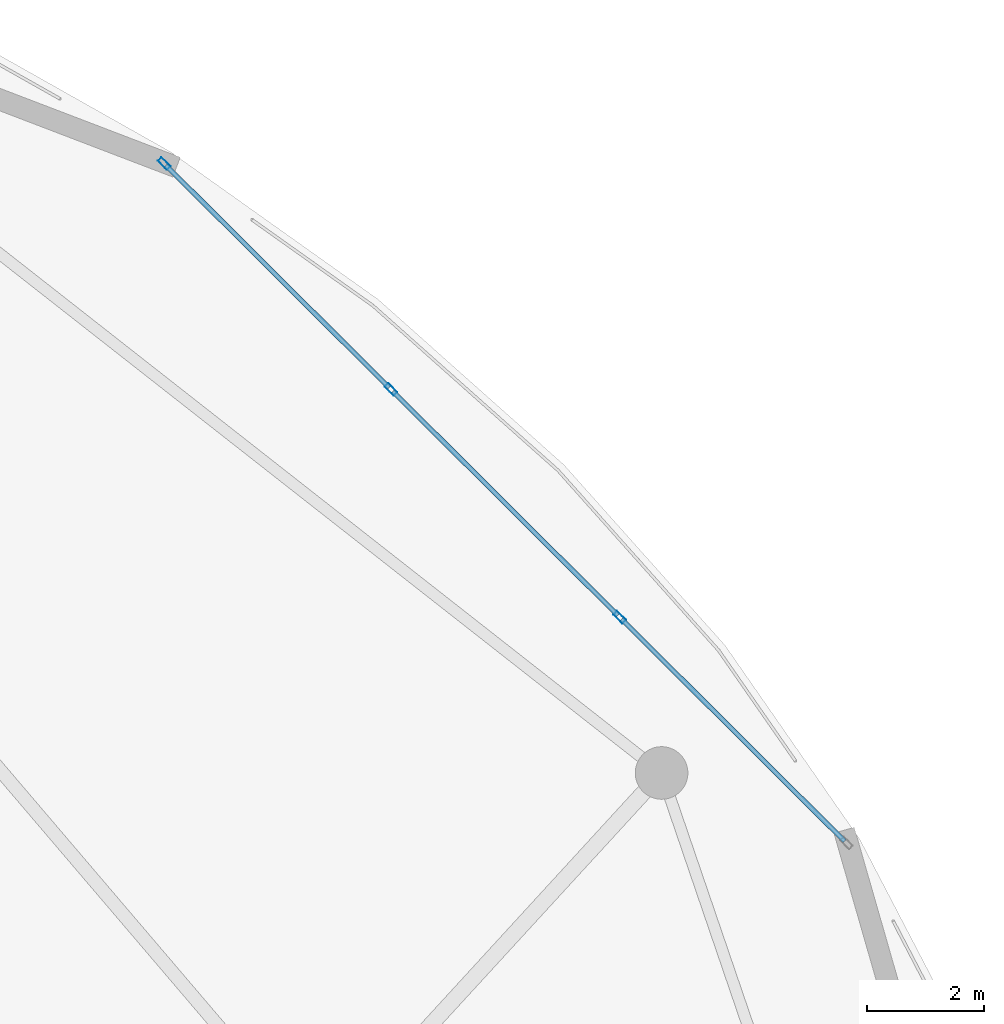
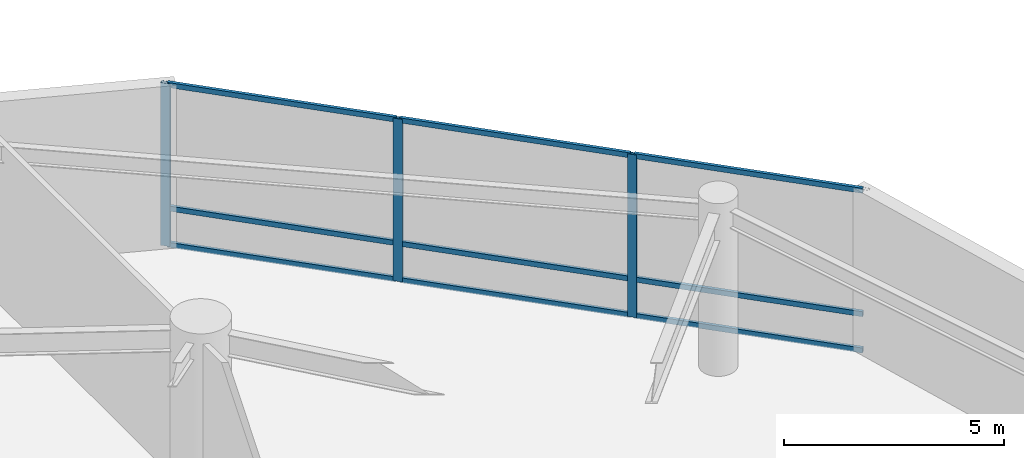
# One storey, part 20 of 40: 12 members, 1 element without a shape of its own.
"""IFC4 building model written with IfcOpenShell, lengths in metres."""

from ifc_helpers import new_model, si_unit, direction, frame, origin, origin_2d, place, context, subcontext, project, spatial, hollow_rectangle, extrude, material, layer, layer_set, material_profile, profile_set, type_object, element, aggregate, save


model = new_model("IFC4")

# Units and contexts
model_context = context("Model", 3, precision=1e-05, world=origin(), true_north=direction((0.0, 1.0)))
body_context = subcontext(model_context, "Body", "Model", "MODEL_VIEW")
ifc_project = project(units=[si_unit("LENGTHUNIT", "METRE"), si_unit("AREAUNIT", "SQUARE_METRE"), si_unit("VOLUMEUNIT", "CUBIC_METRE"), si_unit("PLANEANGLEUNIT", "RADIAN"), si_unit("MASSUNIT", "GRAM", prefix="KILO")], contexts=[model_context])

# Site, building, storey
site_placement = place(None, origin())
site = spatial("IfcSite", under=ifc_project, at=site_placement, CompositionType="ELEMENT")
building_placement = place(site_placement, origin())
building = spatial("IfcBuilding", under=site, at=building_placement, Name="Kazevale Care Tower and Concert Hall", CompositionType="ELEMENT")
storey_placement = place(building_placement, frame((0.0, 0.0, 4.800048828125)))
storey = spatial("IfcBuildingStorey", under=building, at=storey_placement, Name="L01", CompositionType="ELEMENT", Elevation=4.800048828125)

# Curtain wall, members
ifc_material_1 = material(Name="Aluminium 6063-T6 and Low-E Glass", Category="aluminium")
ifc_layer = layer(ifc_material_1, 0.179931640625)
ifc_layer_set = layer_set([ifc_layer], Name="Aluminium 6063-T6 and Low-E Glass")
curtain_wall_type = type_object("IfcCurtainWallType", Name="Podium Double-Skin Medical Curtain Wall CW-1", PredefinedType="NOTDEFINED", material=ifc_layer_set)
curtain_wall_placement = place(storey_placement, origin())
curtain_wall = element("IfcCurtainWall", 1, at=curtain_wall_placement, inside=storey, type_object=curtain_wall_type, Name="cw:L01:pod:02", PredefinedType="NOTDEFINED")
ifc_material_2 = material(Name="Aluminium 6063-T6", Category="aluminium")
ifc_material_profile_1 = material_profile(ifc_material_2, hollow_rectangle(XDim=0.090087890625, YDim=0.219970703125, WallThickness=0.0048828125, at=origin_2d()), Name="ALU90x220x5")
ifc_profile_set_1 = profile_set([ifc_material_profile_1], Name="Aluminium 6063-T6")
member_type_1 = type_object("IfcMemberType", Name="CW-1 Mullion ALU90x220x5", PredefinedType="MULLION", material=ifc_profile_set_1)
member_1_placement = place(storey_placement, frame((79.182373046875, 56.464599609375, 0.0), z_axis=(0.0, 0.0, 1.0), x_axis=(-0.705655814257, -0.708554776856, 0.0)))
member_1 = element("IfcMember", 2, at=member_1_placement, type_object=member_type_1, Name="CW-1 mullion 2", PredefinedType="MULLION", context=body_context, shape_type="SweptSolid", body=[
    extrude(hollow_rectangle(XDim=0.090087890625, YDim=0.219970703125, WallThickness=0.0048828125, at=origin_2d()), origin(), (0.0, 0.0, 1.0), 4.52001953125),
])
member_2_placement = place(storey_placement, frame((75.271728515625, 60.359375, 0.0), z_axis=(0.0, 0.0, 1.0), x_axis=(-0.705655814257, -0.708554776856, 0.0)))
member_2 = element("IfcMember", 3, at=member_2_placement, type_object=member_type_1, Name="CW-1 mullion 3", PredefinedType="MULLION", context=body_context, shape_type="SweptSolid", body=[
    extrude(hollow_rectangle(XDim=0.090087890625, YDim=0.219970703125, WallThickness=0.0048828125, at=origin_2d()), origin(), (0.0, 0.0, 1.0), 4.52001953125),
])
member_3_placement = place(storey_placement, frame((71.392822265625, 64.22216796875, 0.0), z_axis=(0.0, 0.0, 1.0), x_axis=(-0.705655814257, -0.708554776856, 0.0)))
member_3 = element("IfcMember", 4, at=member_3_placement, type_object=member_type_1, Name="CW-1 mullion 4", PredefinedType="MULLION", context=body_context, shape_type="SweptSolid", body=[
    extrude(hollow_rectangle(XDim=0.090087890625, YDim=0.219970703125, WallThickness=0.0048828125, at=origin_2d()), origin(), (0.0, 0.0, 1.0), 4.52001953125),
])
ifc_material_profile_2 = material_profile(ifc_material_2, hollow_rectangle(XDim=0.080078125, YDim=0.139892578125, WallThickness=0.00390625, at=origin_2d()), Name="ALU80x140x4")
ifc_profile_set_2 = profile_set([ifc_material_profile_2], Name="Aluminium 6063-T6")
member_type_2 = type_object("IfcMemberType", Name="CW-1 Transom ALU80x140x4", PredefinedType="USERDEFINED", material=ifc_profile_set_2)
member_4_placement = place(storey_placement, frame((83.029296875, 52.633544921875, 0.0400390625), z_axis=(-0.708578901075, 0.705631590103, 0.0), x_axis=(-0.705631590103, -0.708578901075, 0.0)))
member_4 = element("IfcMember", 5, at=member_4_placement, type_object=member_type_2, Name="CW-1 transom 1.1", ObjectType="TRANSOM", PredefinedType="USERDEFINED", context=body_context, shape_type="SweptSolid", body=[
    extrude(hollow_rectangle(XDim=0.080078125, YDim=0.139892578125, WallThickness=0.00390625, at=origin_2d()), origin(), (0.0, 0.0, 1.0), 5.38427734375),
])
member_5_placement = place(storey_placement, frame((83.029296875, 52.633544921875, 1.050048828125), z_axis=(-0.708578901075, 0.705631590103, 0.0), x_axis=(-0.705631590103, -0.708578901075, 0.0)))
member_5 = element("IfcMember", 6, at=member_5_placement, type_object=member_type_2, Name="CW-1 transom 1.2", ObjectType="TRANSOM", PredefinedType="USERDEFINED", context=body_context, shape_type="SweptSolid", body=[
    extrude(hollow_rectangle(XDim=0.080078125, YDim=0.139892578125, WallThickness=0.00390625, at=origin_2d()), origin(), (0.0, 0.0, 1.0), 5.38427734375),
])
member_6_placement = place(storey_placement, frame((83.029296875, 52.633544921875, 4.47998046875), z_axis=(-0.708578901075, 0.705631590103, 0.0), x_axis=(-0.705631590103, -0.708578901075, 0.0)))
member_6 = element("IfcMember", 7, at=member_6_placement, type_object=member_type_2, Name="CW-1 transom 1.3", ObjectType="TRANSOM", PredefinedType="USERDEFINED", context=body_context, shape_type="SweptSolid", body=[
    extrude(hollow_rectangle(XDim=0.080078125, YDim=0.139892578125, WallThickness=0.00390625, at=origin_2d()), origin(), (0.0, 0.0, 1.0), 5.38427734375),
])
member_7_placement = place(storey_placement, frame((79.150390625, 56.496337890625, 0.0400390625), z_axis=(-0.708544259539, 0.705666374624, 0.0), x_axis=(-0.705666374624, -0.708544259539, 0.0)))
member_7 = element("IfcMember", 8, at=member_7_placement, type_object=member_type_2, Name="CW-1 transom 2.1", ObjectType="TRANSOM", PredefinedType="USERDEFINED", context=body_context, shape_type="SweptSolid", body=[
    extrude(hollow_rectangle(XDim=0.080078125, YDim=0.139892578125, WallThickness=0.00390625, at=origin_2d()), origin(), (0.0, 0.0, 1.0), 5.429443359375),
])
member_8_placement = place(storey_placement, frame((79.150390625, 56.496337890625, 1.050048828125), z_axis=(-0.708544259539, 0.705666374624, 0.0), x_axis=(-0.705666374624, -0.708544259539, 0.0)))
member_8 = element("IfcMember", 9, at=member_8_placement, type_object=member_type_2, Name="CW-1 transom 2.2", ObjectType="TRANSOM", PredefinedType="USERDEFINED", context=body_context, shape_type="SweptSolid", body=[
    extrude(hollow_rectangle(XDim=0.080078125, YDim=0.139892578125, WallThickness=0.00390625, at=origin_2d()), origin(), (0.0, 0.0, 1.0), 5.429443359375),
])
member_9_placement = place(storey_placement, frame((79.150390625, 56.496337890625, 4.47998046875), z_axis=(-0.708544259539, 0.705666374624, 0.0), x_axis=(-0.705666374624, -0.708544259539, 0.0)))
member_9 = element("IfcMember", 10, at=member_9_placement, type_object=member_type_2, Name="CW-1 transom 2.3", ObjectType="TRANSOM", PredefinedType="USERDEFINED", context=body_context, shape_type="SweptSolid", body=[
    extrude(hollow_rectangle(XDim=0.080078125, YDim=0.139892578125, WallThickness=0.00390625, at=origin_2d()), origin(), (0.0, 0.0, 1.0), 5.429443359375),
])
member_10_placement = place(storey_placement, frame((75.23974609375, 60.39111328125, 0.0400390625), z_axis=(-0.708556322862, 0.705654261896, 0.0), x_axis=(-0.705654261896, -0.708556322862, 0.0)))
member_10 = element("IfcMember", 11, at=member_10_placement, type_object=member_type_2, Name="CW-1 transom 3.1", ObjectType="TRANSOM", PredefinedType="USERDEFINED", context=body_context, shape_type="SweptSolid", body=[
    extrude(hollow_rectangle(XDim=0.080078125, YDim=0.139892578125, WallThickness=0.00390625, at=origin_2d()), origin(), (0.0, 0.0, 1.0), 5.384033203125),
])
member_11_placement = place(storey_placement, frame((75.23974609375, 60.39111328125, 1.050048828125), z_axis=(-0.708556322862, 0.705654261896, 0.0), x_axis=(-0.705654261896, -0.708556322862, 0.0)))
member_11 = element("IfcMember", 12, at=member_11_placement, type_object=member_type_2, Name="CW-1 transom 3.2", ObjectType="TRANSOM", PredefinedType="USERDEFINED", context=body_context, shape_type="SweptSolid", body=[
    extrude(hollow_rectangle(XDim=0.080078125, YDim=0.139892578125, WallThickness=0.00390625, at=origin_2d()), origin(), (0.0, 0.0, 1.0), 5.384033203125),
])
member_12_placement = place(storey_placement, frame((75.23974609375, 60.39111328125, 4.47998046875), z_axis=(-0.708556322862, 0.705654261896, 0.0), x_axis=(-0.705654261896, -0.708556322862, 0.0)))
member_12 = element("IfcMember", 13, at=member_12_placement, type_object=member_type_2, Name="CW-1 transom 3.3", ObjectType="TRANSOM", PredefinedType="USERDEFINED", context=body_context, shape_type="SweptSolid", body=[
    extrude(hollow_rectangle(XDim=0.080078125, YDim=0.139892578125, WallThickness=0.00390625, at=origin_2d()), origin(), (0.0, 0.0, 1.0), 5.384033203125),
])
aggregate(curtain_wall, [member_1, member_2, member_3, member_4, member_5, member_6, member_7, member_8, member_9, member_10, member_11, member_12])

save(model, "model.ifc")
